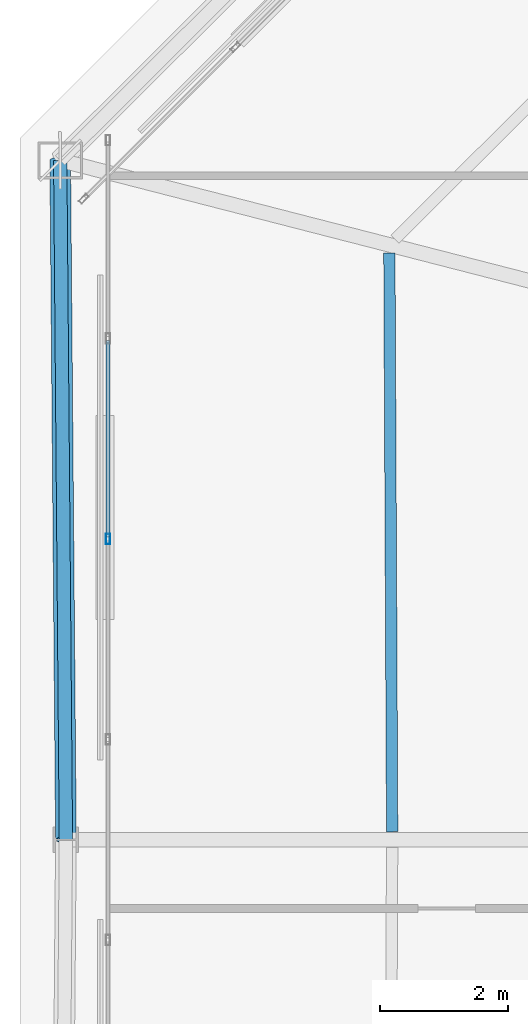
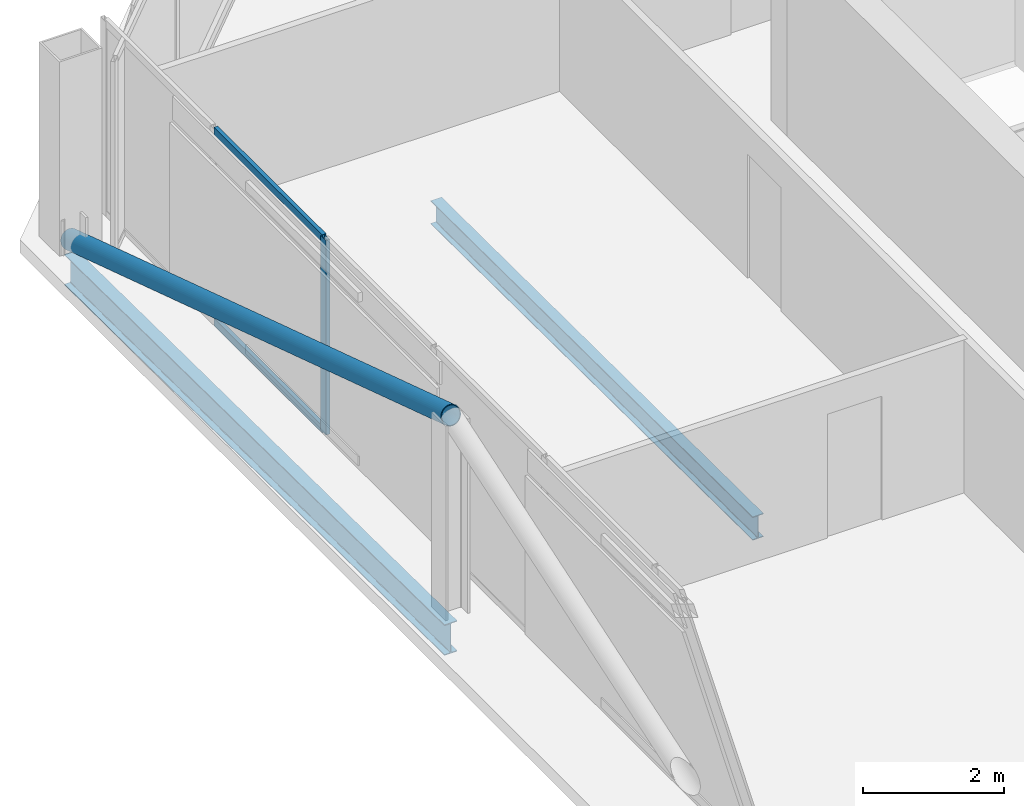
# One storey, part 11 of 26: 4 members, 2 beams, 1 element without a shape of its own.
"""IFC4 building model written with IfcOpenShell, lengths in metres."""

import ifcopenshell
import ifcopenshell.guid

model = None  # the IFC model being written
_history = None  # IfcOwnerHistory: only IFC2X3 demands one
_inside = {}  # id of a spatial element -> (the spatial element, [elements in it])
_under = {}  # id of a project, library or spatial element -> (it, [spatial elements below it])
_declared = {}  # id of a project -> (the project, [libraries it declares])
_typed = {}  # id of a type object -> (the type object, [elements of that type])
_made_of = {}  # id of a material, layer set ... -> (it, [elements and type objects made of it])


def new_model(schema):
    """Start an empty IFC model of exactly this schema.

    Asked for "IFC4X3", IfcOpenShell would pick the latest addendum, in which some entities
    have other attributes; the version numbers below select the first issue.
    IFC2X3 requires an IfcOwnerHistory on every rooted entity: one is made here for all.
    """
    global model, _history
    if schema == "IFC4X3":
        model = ifcopenshell.file(schema_version=(4, 3, 0, 0))
    else:
        model = ifcopenshell.file(schema=schema)
    _inside.clear()
    _under.clear()
    _declared.clear()
    _typed.clear()
    _made_of.clear()
    _history = None
    if model.schema == "IFC2X3":
        org = make("IfcOrganization", Name="unknown")
        user = make(
            "IfcPersonAndOrganization",
            ThePerson=make("IfcPerson", FamilyName="unknown"),
            TheOrganization=org,
        )
        app = make(
            "IfcApplication",
            ApplicationDeveloper=org,
            Version="unknown",
            ApplicationFullName="unknown",
            ApplicationIdentifier="unknown",
        )
        _history = make(
            "IfcOwnerHistory",
            OwningUser=user,
            OwningApplication=app,
            ChangeAction="ADDED",
            CreationDate=0,
        )
    return model


def make(cls, **values):
    """One entity of the class cls with the attributes given. An attribute that is None is left unset."""
    return model.create_entity(
        cls, **{name: value for name, value in values.items() if value is not None}
    )


def rooted(cls, **values):
    """An entity with a GlobalId (a new one), such as an element, a storey or a relation."""
    return make(cls, GlobalId=ifcopenshell.guid.new(), OwnerHistory=_history, **values)


def si_unit(unit_type, name, prefix=None):
    """IfcSIUnit, for example si_unit("LENGTHUNIT", "METRE", prefix="MILLI")."""
    return make("IfcSIUnit", UnitType=unit_type, Prefix=prefix, Name=name)


def assignment(units):
    """IfcUnitAssignment: the units of a project."""
    return None if units is None else make("IfcUnitAssignment", Units=units)


def point(xyz):
    """IfcCartesianPoint."""
    return None if xyz is None else make("IfcCartesianPoint", Coordinates=xyz)


def direction(xyz):
    """IfcDirection."""
    return None if xyz is None else make("IfcDirection", DirectionRatios=xyz)


def frame(location, z_axis=None, x_axis=None):
    """IfcAxis2Placement3D, a coordinate frame: its origin and axes. An axis left out is left unset."""
    return make(
        "IfcAxis2Placement3D",
        Location=point(location),
        Axis=direction(z_axis),
        RefDirection=direction(x_axis),
    )


def frame_2d(location, x_axis=None):
    """IfcAxis2Placement2D, a coordinate frame in the plane: its origin and x axis."""
    return make(
        "IfcAxis2Placement2D", Location=point(location), RefDirection=direction(x_axis)
    )


def origin():
    """The frame at (0, 0, 0) with its axes left unset."""
    return frame((0.0, 0.0, 0.0))


def origin_2d():
    """The frame at (0, 0) in the plane with its x axis left unset."""
    return frame_2d((0.0, 0.0))


def place(relative_to, where):
    """IfcLocalPlacement: puts the frame where relative to a parent placement (None: the world)."""
    return make(
        "IfcLocalPlacement", PlacementRelTo=relative_to, RelativePlacement=where
    )


def context(
    kind, dimensions, precision=None, world=None, true_north=None, identifier=None
):
    """IfcGeometricRepresentationContext, for example the 3D "Model" context."""
    return make(
        "IfcGeometricRepresentationContext",
        ContextIdentifier=identifier,
        ContextType=kind,
        CoordinateSpaceDimension=dimensions,
        Precision=precision,
        WorldCoordinateSystem=world,
        TrueNorth=true_north,
    )


def subcontext(parent, identifier, kind, view, scale=None):
    """IfcGeometricRepresentationSubContext, for example "Body" below "Model"."""
    return make(
        "IfcGeometricRepresentationSubContext",
        ContextIdentifier=identifier,
        ContextType=kind,
        ParentContext=parent,
        TargetScale=scale,
        TargetView=view,
    )


def project(units=None, contexts=None):
    """IfcProject with its units and contexts."""
    return rooted(
        "IfcProject",
        Name="project",
        RepresentationContexts=contexts,
        UnitsInContext=assignment(units),
    )


def spatial(cls, under=None, at=None, **own):
    """A site, building, storey or space (cls), placed at a placement, below another one or the project."""
    s = rooted(cls, ObjectPlacement=at, **own)
    if under is not None:
        _under.setdefault(under.id(), (under, []))[1].append(s)
    return s


def profile(cls, at=None, kind="AREA", **sizes):
    """A parametric profile (cls). Its sizes go by their IFC names, for example OverallWidth=200.0."""
    return make(cls, ProfileType=kind, Position=at, **sizes)


def hollow_rectangle(**sizes):
    """IfcRectangleHollowProfileDef."""
    return profile("IfcRectangleHollowProfileDef", **sizes)


def hollow_circle(**sizes):
    """IfcCircleHollowProfileDef."""
    return profile("IfcCircleHollowProfileDef", **sizes)


def i_section(**sizes):
    """IfcIShapeProfileDef."""
    return profile("IfcIShapeProfileDef", **sizes)


def extrude(swept, where, along, depth):
    """IfcExtrudedAreaSolid: the profile swept, set in the frame where, extruded along a direction by depth."""
    return make(
        "IfcExtrudedAreaSolid",
        SweptArea=swept,
        Position=where,
        ExtrudedDirection=direction(along),
        Depth=depth,
    )


def shape(context_of_items, identifier, shape_type, items):
    """IfcShapeRepresentation: the items that make up one representation, for example the "Body"."""
    return make(
        "IfcShapeRepresentation",
        ContextOfItems=context_of_items,
        RepresentationIdentifier=identifier,
        RepresentationType=shape_type,
        Items=items,
    )


def material(Name=None, Category=None):
    """IfcMaterial."""
    return make("IfcMaterial", Name=Name, Category=Category)


def layer(
    of_material, thickness, ventilated=None, Name=None, Category=None, Priority=None
):
    """IfcMaterialLayer: one layer of a wall or slab, of a material (None: an air gap)."""
    return make(
        "IfcMaterialLayer",
        Material=of_material,
        LayerThickness=thickness,
        IsVentilated=ventilated,
        Name=Name,
        Category=Category,
        Priority=Priority,
    )


def layer_set(layers, Name=None):
    """IfcMaterialLayerSet."""
    return make("IfcMaterialLayerSet", MaterialLayers=layers, LayerSetName=Name)


def material_profile(
    of_material, cross_section, Name=None, Category=None, Priority=None
):
    """IfcMaterialProfile: a cross section and its material."""
    return make(
        "IfcMaterialProfile",
        Name=Name,
        Material=of_material,
        Profile=cross_section,
        Priority=Priority,
        Category=Category,
    )


def profile_set(profiles, Name=None, composite=None):
    """IfcMaterialProfileSet."""
    return make(
        "IfcMaterialProfileSet",
        Name=Name,
        MaterialProfiles=profiles,
        CompositeProfile=composite,
    )


def made_of(thing, what):
    """Note that an element or type object is made of a material, layer set ...; save() writes the relation."""
    if what is not None:
        _made_of.setdefault(what.id(), (what, []))[1].append(thing)
    return thing


def type_object(cls, material=None, **own):
    """A type object (cls), such as IfcWallType, which elements share."""
    return made_of(rooted(cls, **own), material)


def element(
    cls,
    number,
    at=None,
    inside=None,
    cuts=None,
    type_object=None,
    material=None,
    context=None,
    identifier="Body",
    shape_type=None,
    held_by="IfcProductDefinitionShape",
    body=None,
    shapes=None,
    **own,
):
    """One element of the class cls, such as IfcWall. Its Tag is "e" and its number.

    at: its placement. inside: the storey or other place that contains it. cuts: it is an
    opening in that element (IfcRelVoidsElement). A single representation is given by context,
    identifier, shape_type and body (its items); several are given by shapes. held_by: the class
    of the entity that holds the representations. save() writes the other relations.
    """
    e = rooted(cls, Tag="e%d" % number, ObjectPlacement=at, **own)
    if body is not None:
        shapes = [shape(context, identifier, shape_type, body)]
    if shapes is not None:
        e.Representation = make(held_by, Representations=shapes)
    if inside is not None:
        _inside.setdefault(inside.id(), (inside, []))[1].append(e)
    if cuts is not None:
        rooted(
            "IfcRelVoidsElement", RelatingBuildingElement=cuts, RelatedOpeningElement=e
        )
    if type_object is not None:
        _typed.setdefault(type_object.id(), (type_object, []))[1].append(e)
    return made_of(e, material)


def aggregate(whole, parts):
    """IfcRelAggregates: a whole, such as a stair, and the parts it consists of."""
    return rooted("IfcRelAggregates", RelatingObject=whole, RelatedObjects=parts)


def save(model, path):
    """Write the relations noted so far, then the file.

    IfcRelAggregates (storeys below a building ...), IfcRelContainedInSpatialStructure (elements
    in a storey), IfcRelDefinesByType, IfcRelAssociatesMaterial and IfcRelDeclares: one each for
    every whole, place, type object, material and project.
    """
    for whole, parts in _under.values():
        aggregate(whole, parts)
    for where, things in _inside.values():
        rooted(
            "IfcRelContainedInSpatialStructure",
            RelatedElements=things,
            RelatingStructure=where,
        )
    for kind, things in _typed.values():
        rooted("IfcRelDefinesByType", RelatedObjects=things, RelatingType=kind)
    for what, things in _made_of.values():
        rooted("IfcRelAssociatesMaterial", RelatedObjects=things, RelatingMaterial=what)
    for by, libraries in _declared.values():
        rooted("IfcRelDeclares", RelatingContext=by, RelatedDefinitions=libraries)
    model.write(path)


model = new_model("IFC4")

# Units and contexts
model_context = context("Model", 3, precision=1e-05, world=origin(), true_north=direction((0.0, 1.0)))
body_context = subcontext(model_context, "Body", "Model", "MODEL_VIEW")
ifc_project = project(units=[si_unit("LENGTHUNIT", "METRE"), si_unit("AREAUNIT", "SQUARE_METRE"), si_unit("VOLUMEUNIT", "CUBIC_METRE"), si_unit("PLANEANGLEUNIT", "RADIAN"), si_unit("MASSUNIT", "GRAM", prefix="KILO")], contexts=[model_context])

# Site, building, storey
site_placement = place(None, origin())
site = spatial("IfcSite", under=ifc_project, at=site_placement, CompositionType="ELEMENT")
building_placement = place(site_placement, origin())
building = spatial("IfcBuilding", under=site, at=building_placement, Name="Caelvoria Tower", CompositionType="ELEMENT")
storey_placement = place(building_placement, frame((0.0, 0.0, 239.39990234375)))
storey = spatial("IfcBuildingStorey", under=building, at=storey_placement, Name="L63", CompositionType="ELEMENT", Elevation=239.39990234375)

# Curtain wall, members
ifc_material_1 = material(Name="Anodised Bronze Aluminium and Low-E Glass", Category="aluminium")
ifc_layer = layer(ifc_material_1, 0.175048828125, Name="Anodised Bronze Aluminium and Low-E Glass")
ifc_layer_set = layer_set([ifc_layer], Name="CW System 4 High-Zone Tapered Crystal Facade - Anodised Bronze Aluminium and Low-E Glass")
curtain_wall_type = type_object("IfcCurtainWallType", Name="CW System 4 High-Zone Tapered Crystal Facade", PredefinedType="NOTDEFINED", material=ifc_layer_set)
curtain_wall_placement = place(storey_placement, origin())
curtain_wall = element("IfcCurtainWall", 1, at=curtain_wall_placement, inside=storey, type_object=curtain_wall_type, Name="CW-04 Curtain Wall L63-E6", PredefinedType="NOTDEFINED")
ifc_material_2 = material(Name="Anodised Bronze Architectural Aluminium", Category="aluminium")
ifc_material_profile_1 = material_profile(ifc_material_2, hollow_rectangle(XDim=0.06494140625, YDim=0.159912109375, WallThickness=0.00390625, at=origin_2d()), Name="Anodised Bronze Architectural Aluminium")
ifc_profile_set_1 = profile_set([ifc_material_profile_1], Name="CW_MULL_65X160 - Anodised Bronze Architectural Aluminium")
member_type_1 = type_object("IfcMemberType", Name="Curtain Wall Mullion 65x160 Bronze Aluminium", PredefinedType="MULLION", material=ifc_profile_set_1)
member_1_placement = place(storey_placement, frame((27.429931640625, 36.71435546875, 0.0), z_axis=(0.0, 0.0, 1.0), x_axis=(1.0, 0.0, 0.0)))
member_1 = element("IfcMember", 2, at=member_1_placement, type_object=member_type_1, Name="CW-04 mullion 3", PredefinedType="MULLION", context=body_context, shape_type="SweptSolid", body=[
    extrude(hollow_rectangle(XDim=0.06494140625, YDim=0.159912109375, WallThickness=0.00390625, at=origin_2d()), origin(), (0.0, 0.0, 1.0), 3.375),
])
ifc_material_profile_2 = material_profile(ifc_material_2, hollow_rectangle(XDim=0.06494140625, YDim=0.1298828125, WallThickness=0.00341796875, at=origin_2d()), Name="Anodised Bronze Architectural Aluminium")
ifc_profile_set_2 = profile_set([ifc_material_profile_2], Name="CW_TRAN_65X130 - Anodised Bronze Architectural Aluminium")
member_type_2 = type_object("IfcMemberType", Name="Curtain Wall Transom 65x130 Bronze Aluminium", PredefinedType="USERDEFINED", material=ifc_profile_set_2)
member_2_placement = place(storey_placement, frame((27.429931640625, 39.82470703125, 0.03271484375), z_axis=(0.0, -1.0, 0.0), x_axis=(1.0, 0.0, 0.0)))
member_2 = element("IfcMember", 3, at=member_2_placement, type_object=member_type_2, Name="CW-04 transom 2.1", ObjectType="TRANSOM", PredefinedType="USERDEFINED", context=body_context, shape_type="SweptSolid", body=[
    extrude(hollow_rectangle(XDim=0.06494140625, YDim=0.1298828125, WallThickness=0.00341796875, at=origin_2d()), origin(), (0.0, 0.0, 1.0), 3.077880859375),
])
member_3_placement = place(storey_placement, frame((27.429931640625, 39.82470703125, 3.342529296875), z_axis=(0.0, -1.0, 0.0), x_axis=(1.0, 0.0, 0.0)))
member_3 = element("IfcMember", 4, at=member_3_placement, type_object=member_type_2, Name="CW-04 transom 2.2", ObjectType="TRANSOM", PredefinedType="USERDEFINED", context=body_context, shape_type="SweptSolid", body=[
    extrude(hollow_rectangle(XDim=0.06494140625, YDim=0.1298828125, WallThickness=0.00341796875, at=origin_2d()), origin(), (0.0, 0.0, 1.0), 3.077880859375),
])
aggregate(curtain_wall, [member_1, member_2, member_3])

# Beam
ifc_material_3 = material(Name="Structural Steel ASTM A992 Gr.50", Category="steel")
ifc_material_profile_3 = material_profile(ifc_material_3, i_section(OverallWidth=0.177978515625, OverallDepth=0.406982421875, WebThickness=0.0078125, FlangeThickness=0.0126953125, FilletRadius=0.013916015625, at=origin_2d()), Name="Structural Steel ASTM A992 Gr.50")
ifc_profile_set_3 = profile_set([ifc_material_profile_3], Name="W410X60 - Structural Steel ASTM A992 Gr.50")
beam_type_1 = type_object("IfcBeamType", Name="Secondary Floor Beam W410X60", PredefinedType="BEAM", material=ifc_profile_set_3)
beam_1_placement = place(storey_placement, frame((31.8408203125, 41.201171875, -0.428466796875), z_axis=(0.004814878553, -0.999988408405, 0.0), x_axis=(0.999988408405, 0.004814878553, 0.0)))
element("IfcBeam", 5, at=beam_1_placement, inside=storey, type_object=beam_type_1, Name="Secondary Floor Beam L63-09", PredefinedType="BEAM", context=body_context, shape_type="SweptSolid", body=[
    extrude(i_section(OverallWidth=0.177978515625, OverallDepth=0.406982421875, WebThickness=0.0078125, FlangeThickness=0.0126953125, FilletRadius=0.013916015625, at=origin_2d()), origin(), (0.0, 0.0, 1.0), 9.076171875),
])

# Member
ifc_material_4 = material(Name="Structural Steel ASTM A572 Gr.50", Category="steel")
ifc_material_profile_4 = material_profile(ifc_material_4, hollow_circle(Radius=0.162109375, WallThickness=0.0126953125, at=origin_2d()), Name="Structural Steel ASTM A572 Gr.50")
ifc_profile_set_4 = profile_set([ifc_material_profile_4], Name="CHS324X12.7 - Structural Steel ASTM A572 Gr.50")
member_type_3 = type_object("IfcMemberType", Name="Summit Perimeter Mega Brace CHS324X12.7", PredefinedType="BRACE", material=ifc_profile_set_4)
member_4_placement = place(storey_placement, frame((26.680419921875, 42.65234375, 0.0), z_axis=(0.008018168554, -0.953266295217, 0.302024964821), x_axis=(0.999964627248, 0.008410960263, 0.0)))
element("IfcMember", 6, at=member_4_placement, inside=storey, type_object=member_type_3, Name="Perimeter Cardinal Mega Brace L63 WA", PredefinedType="BRACE", context=body_context, shape_type="SweptSolid", body=[
    extrude(hollow_circle(Radius=0.162109375, WallThickness=0.0126953125, at=origin_2d()), origin(), (0.0, 0.0, 1.0), 11.174560546875),
])

# Beam
ifc_material_profile_5 = material_profile(ifc_material_3, i_section(OverallWidth=0.208984375, OverallDepth=0.532958984375, WebThickness=0.01025390625, FlangeThickness=0.015625, FilletRadius=0.01611328125, at=origin_2d()), Name="Structural Steel ASTM A992 Gr.50")
ifc_profile_set_5 = profile_set([ifc_material_profile_5], Name="W530X92 - Structural Steel ASTM A992 Gr.50")
beam_type_2 = type_object("IfcBeamType", Name="Upper Zone Spandrel W530X92", PredefinedType="BEAM", material=ifc_profile_set_5)
beam_2_placement = place(storey_placement, frame((26.680419921875, 42.65234375, -0.491455078125), z_axis=(0.008410960263, -0.999964627248, 0.0), x_axis=(0.999964627248, 0.008410960263, 0.0)))
element("IfcBeam", 7, at=beam_2_placement, inside=storey, type_object=beam_type_2, Name="Perimeter Spandrel Girder L63-09", PredefinedType="BEAM", context=body_context, shape_type="SweptSolid", body=[
    extrude(i_section(OverallWidth=0.208984375, OverallDepth=0.532958984375, WebThickness=0.01025390625, FlangeThickness=0.015625, FilletRadius=0.01611328125, at=origin_2d()), origin(), (0.0, 0.0, 1.0), 10.65283203125),
])

save(model, "model.ifc")
